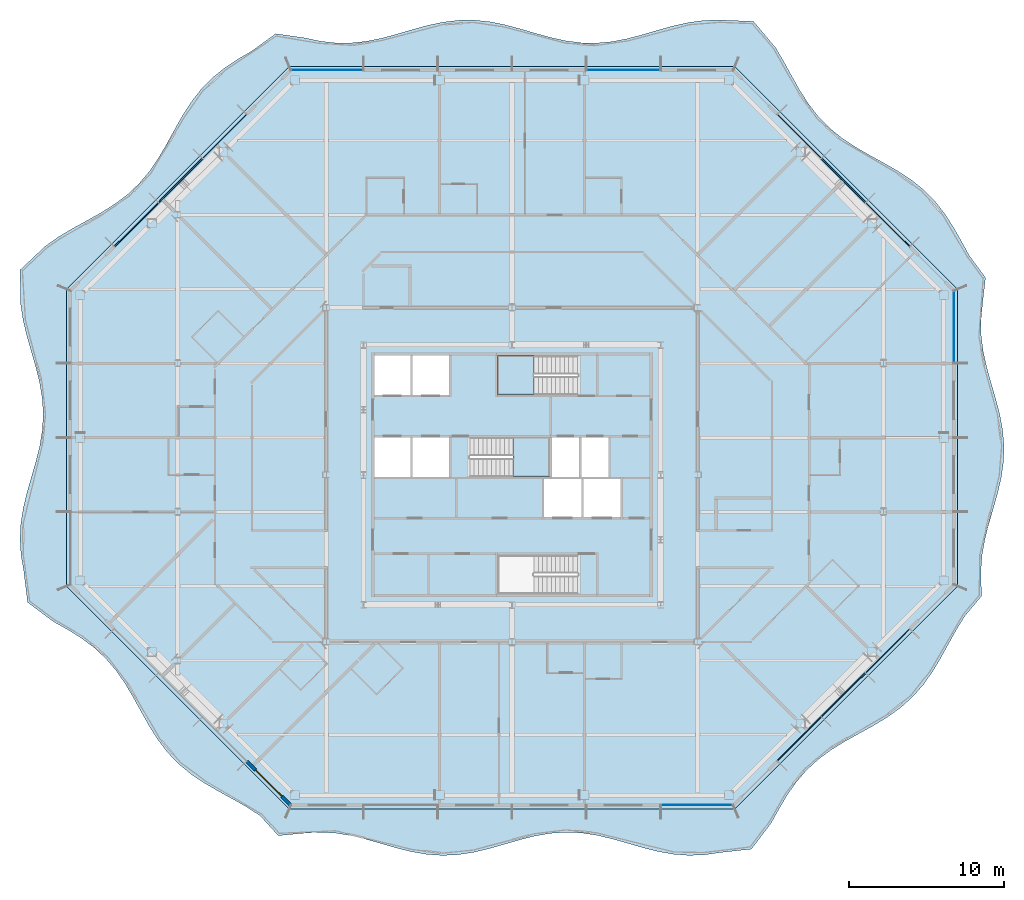
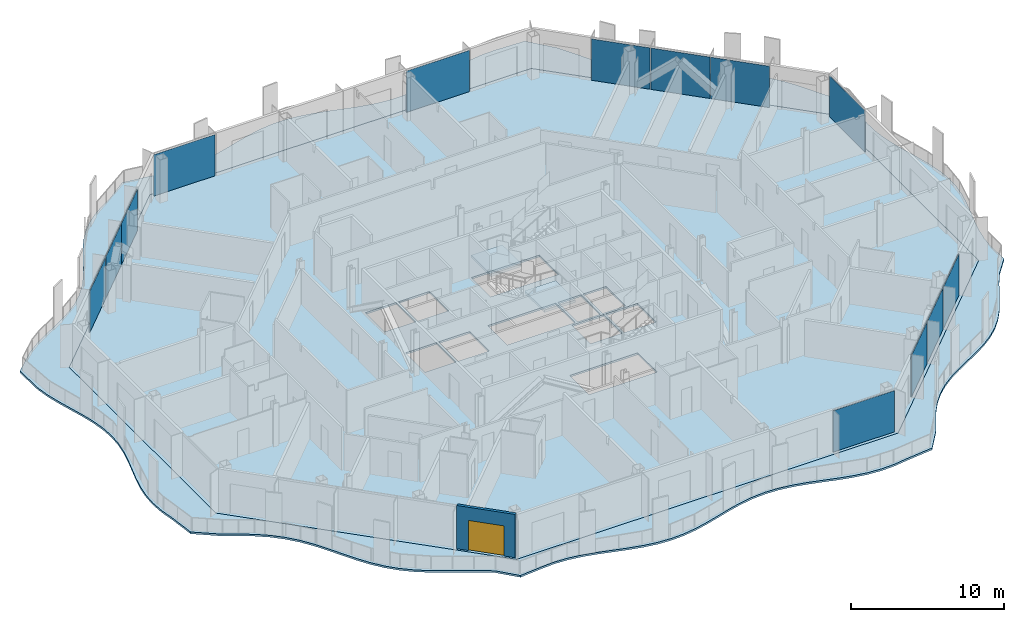
# One storey, part 6 of 21: 13 plates, 4 slabs, 1 door, 1 wall, 1 opening, 8 elements without a shape of their own.
"""IFC4 building model written with IfcOpenShell, lengths in metres."""

from ifc_helpers import new_model, si_unit, direction, frame, frame_2d, origin, origin_2d, place, context, subcontext, project, spatial, polyline, rectangle, outline, extrude, material, layer, layer_set, type_object, element, fill, aggregate, save


model = new_model("IFC4")

# Units and contexts
model_context = context("Model", 3, precision=1e-05, world=origin(), true_north=direction((0.0, 1.0)))
body_context = subcontext(model_context, "Body", "Model", "MODEL_VIEW")
ifc_project = project(units=[si_unit("LENGTHUNIT", "METRE"), si_unit("AREAUNIT", "SQUARE_METRE"), si_unit("VOLUMEUNIT", "CUBIC_METRE"), si_unit("PLANEANGLEUNIT", "RADIAN"), si_unit("MASSUNIT", "GRAM", prefix="KILO")], contexts=[model_context])

# Site, building, storey
site_placement = place(None, origin())
site = spatial("IfcSite", under=ifc_project, at=site_placement, CompositionType="ELEMENT")
building_placement = place(site_placement, origin())
building = spatial("IfcBuilding", under=site, at=building_placement, Name="Cairn Pilgrim Tower", CompositionType="ELEMENT")
storey_placement = place(building_placement, frame((0.0, 0.0, 150.60009765625)))
storey = spatial("IfcBuildingStorey", under=building, at=storey_placement, Name="L37", CompositionType="ELEMENT", Elevation=150.60009765625)

# Slabs
ifc_material_1 = material(Name="Concrete C35/45", Category="concrete")
ifc_layer_1 = layer(ifc_material_1, 0.14990234375)
ifc_layer_set_1 = layer_set([ifc_layer_1], Name="BALCONY SLAB 150 CONCRETE C35/45")
slab_type_1 = type_object("IfcSlabType", Name="BALCONY SLAB 150 CONCRETE C35/45", PredefinedType="FLOOR", material=ifc_layer_set_1)
slab_1_placement = place(storey_placement, frame((0.0, 0.0, -0.150146484375)))
element("IfcSlab", 1, at=slab_1_placement, inside=storey, type_object=slab_type_1, Name="Balcony slab BS-1", PredefinedType="FLOOR", context=body_context, shape_type="SweptSolid", body=[
    extrude(outline(polyline([(-9.0771484375, -19.636962890625), (-7.912353515625, -20.919677734375), (-6.206787109375, -20.7578125), (-5.2138671875, -20.699951171875), (-4.220703125, -20.7548828125), (-3.2275390625, -20.9140625), (-2.234375, -21.153564453125), (-1.241455078125, -21.437744140625), (-0.248291015625, -21.723876953125), (0.744873046875, -21.96875), (1.738037109375, -22.1357421875), (2.73095703125, -22.19970703125), (3.72412109375, -22.151123046875), (4.71728515625, -21.997314453125), (5.71044921875, -21.76123046875), (6.703369140625, -21.478515625), (7.696533203125, -21.19140625), (8.689697265625, -20.943115234375), (9.682861328125, -20.77099609375), (10.67578125, -20.700927734375), (11.6689453125, -20.7431640625), (12.662109375, -20.891845703125), (13.6552734375, -21.1240234375), (14.648193359375, -21.4052734375), (15.641357421875, -21.693359375), (16.634521484375, -21.94482421875), (17.627685546875, -22.121826171875), (18.62060546875, -22.1982421875), (19.61376953125, -22.162109375), (20.60693359375, -22.01904296875), (22.673095703125, -21.79052734375), (23.94873046875, -20.10888671875), (24.4599609375, -19.179931640625), (24.998046875, -18.278076171875), (25.591796875, -17.431640625), (26.26123046875, -16.6611328125), (27.01416015625, -15.97412109375), (27.845458984375, -15.365478515625), (28.73779296875, -14.817626953125), (29.66357421875, -14.303466796875), (30.590576171875, -13.79052734375), (31.486083984375, -13.24609375), (32.322509765625, -12.642333984375), (33.081298828125, -11.961181640625), (33.75634765625, -11.196533203125), (34.35498046875, -10.35498046875), (34.896240234375, -9.4560546875), (35.408203125, -8.528076171875), (35.923583984375, -7.603759765625), (36.47509765625, -6.715087890625), (37.5400390625, -5.43798828125), (37.501708984375, -3.78955078125), (37.579833984375, -2.779052734375), (37.761962890625, -1.768310546875), (38.02001953125, -0.7578125), (38.31396484375, 0.252685546875), (38.59765625, 1.26318359375), (38.82763671875, 2.273681640625), (38.967529296875, 3.2841796875), (38.99609375, 4.294677734375), (38.90869140625, 5.30517578125), (38.71875, 6.315673828125), (38.4560546875, 7.326416015625), (38.161376953125, 8.3369140625), (37.88037109375, 9.347412109375), (37.656982421875, 10.35791015625), (37.525634765625, 11.368408203125), (37.5068359375, 12.37890625), (37.603515625, 13.389404296875), (37.80078125, 15.14599609375), (36.74365234375, 16.583740234375), (36.234130859375, 17.51416015625), (35.71142578125, 18.431640625), (35.14453125, 19.3046875), (34.50927734375, 20.109375), (33.792236328125, 20.832275390625), (32.992919921875, 21.472900390625), (32.123779296875, 22.043701171875), (31.20849609375, 22.568603515625), (30.27783203125, 23.077880859375), (29.365234375, 23.605224609375), (28.500732421875, 24.1806640625), (27.70703125, 24.8271484375), (26.996337890625, 25.556396484375), (26.36669921875, 26.36669921875), (25.803955078125, 27.243896484375), (25.283447265625, 28.163330078125), (24.7734375, 29.093505859375), (24.2412109375, 30.001220703125), (22.8046875, 31.70849609375), (20.60693359375, 31.795654296875), (19.61376953125, 31.7705078125), (18.62060546875, 31.637451171875), (17.627685546875, 31.416015625), (16.634521484375, 31.1396484375), (15.641357421875, 30.849853515625), (14.648193359375, 30.590087890625), (13.6552734375, 30.3994140625), (12.662109375, 30.306396484375), (11.6689453125, 30.3251953125), (10.67578125, 30.45263671875), (9.682861328125, 30.669921875), (8.689697265625, 30.9443359375), (7.696533203125, 31.234375), (6.703369140625, 31.4970703125), (5.71044921875, 31.6923828125), (4.71728515625, 31.791259765625), (3.72412109375, 31.77880859375), (2.73095703125, 31.656982421875), (1.738037109375, 31.444091796875), (0.744873046875, 31.171875), (-0.248291015625, 30.88134765625), (-1.241455078125, 30.6162109375), (-2.234375, 30.416259765625), (-3.2275390625, 30.311279296875), (-4.220703125, 30.3173828125), (-5.2138671875, 30.43359375), (-6.206787109375, 30.642333984375), (-8.074951171875, 30.912109375), (-9.624267578125, 29.7841796875), (-10.536865234375, 29.2568359375), (-11.4013671875, 28.681396484375), (-12.19482421875, 28.034912109375), (-12.90576171875, 27.3056640625), (-13.53515625, 26.495361328125), (-14.097900390625, 25.617919921875), (-14.618408203125, 24.698486328125), (-15.12841796875, 23.768310546875), (-15.66064453125, 22.86083984375), (-16.245361328125, 22.00537109375), (-16.9033203125, 21.22314453125), (-17.64453125, 20.5244140625), (-18.465576171875, 19.90576171875), (-19.350830078125, 19.350830078125), (-20.273681640625, 18.833740234375), (-21.20263671875, 18.32275390625), (-22.1044921875, 17.784423828125), (-22.950439453125, 17.1904296875), (-24.599365234375, 15.642333984375), (-24.55322265625, 13.389404296875), (-24.397705078125, 12.37890625), (-24.1572265625, 11.368408203125), (-23.868896484375, 10.35791015625), (-23.57763671875, 9.347412109375), (-23.32861328125, 8.3369140625), (-23.160888671875, 7.326416015625), (-23.10009765625, 6.315673828125), (-23.15576171875, 5.30517578125), (-23.319580078125, 4.294677734375), (-23.565673828125, 3.2841796875), (-23.85595703125, 2.273681640625), (-24.1455078125, 1.26318359375), (-24.388916015625, 0.252685546875), (-24.548583984375, -0.7578125), (-24.599853515625, -1.768310546875), (-24.534423828125, -2.779052734375), (-24.362548828125, -3.78955078125), (-24.111328125, -5.840087890625), (-22.447509765625, -7.087646484375), (-21.523193359375, -7.603271484375), (-20.634765625, -8.15478515625), (-19.808837890625, -8.768798828125), (-19.06201171875, -9.462158203125), (-18.398681640625, -10.23876953125), (-17.81005859375, -11.090087890625), (-17.275146484375, -11.9951171875), (-16.7646484375, -12.924560546875), (-16.245849609375, -13.845703125), (-15.686767578125, -14.726806640625), (-15.06201171875, -15.542236328125), (-14.35693359375, -16.27685546875), (-13.568603515625, -16.9287109375), (-12.708251953125, -17.508056640625), (-11.797607421875, -18.03759765625), (-10.8671875, -18.547119140625), (-9.949951171875, -19.070068359375), (-9.0771484375, -19.636962890625)]), holes=[polyline([(21.60009765625, -19.199951171875), (-7.199951171875, -19.199951171875), (-21.60009765625, -4.800048828125), (-21.60009765625, 14.39990234375), (-7.199951171875, 28.800048828125), (21.60009765625, 28.800048828125), (36.0, 14.39990234375), (36.0, -4.800048828125), (21.60009765625, -19.199951171875)])]), origin(), (0.0, 0.0, 1.0), 0.150146484375),
])
ifc_layer_2 = layer(ifc_material_1, 0.14990234375)
ifc_layer_set_2 = layer_set([ifc_layer_2], Name="COMPOSITE FLOOR SLAB 150")
slab_type_2 = type_object("IfcSlabType", Name="COMPOSITE FLOOR SLAB 150", PredefinedType="FLOOR", material=ifc_layer_set_2)
slab_2_placement = place(storey_placement, frame((0.0, 0.0, -0.150146484375)))
element("IfcSlab", 2, at=slab_2_placement, inside=storey, type_object=slab_type_2, Name="FLOOR SLAB L37", PredefinedType="FLOOR", context=body_context, shape_type="SweptSolid", body=[
    extrude(outline(polyline([(-7.199951171875, -19.199951171875), (21.60009765625, -19.199951171875), (36.0, -4.800048828125), (36.0, 14.39990234375), (21.60009765625, 28.800048828125), (-7.199951171875, 28.800048828125), (-21.60009765625, 14.39990234375), (-21.60009765625, -4.800048828125), (-7.199951171875, -19.199951171875)]), holes=[polyline([(9.27490234375, -0.324951171875), (11.675048828125, -0.324951171875), (11.675048828125, 2.125), (9.27490234375, 2.125), (9.27490234375, -0.324951171875)]), polyline([(11.824951171875, -0.324951171875), (14.22509765625, -0.324951171875), (14.22509765625, 2.125), (11.824951171875, 2.125), (11.824951171875, -0.324951171875)]), polyline([(-1.72509765625, 2.27490234375), (0.625, 2.27490234375), (0.625, 4.824951171875), (-1.72509765625, 4.824951171875), (-1.72509765625, 2.27490234375)]), polyline([(0.77490234375, 2.27490234375), (3.125, 2.27490234375), (3.125, 4.824951171875), (0.77490234375, 4.824951171875), (0.77490234375, 2.27490234375)]), polyline([(-1.72509765625, 7.574951171875), (0.625, 7.574951171875), (0.625, 10.10009765625), (-1.72509765625, 10.10009765625), (-1.72509765625, 7.574951171875)]), polyline([(0.77490234375, 7.574951171875), (3.125, 7.574951171875), (3.125, 10.10009765625), (0.77490234375, 10.10009765625), (0.77490234375, 7.574951171875)]), polyline([(9.77490234375, 2.27490234375), (11.52490234375, 2.27490234375), (11.52490234375, 4.824951171875), (9.77490234375, 4.824951171875), (9.77490234375, 2.27490234375)]), polyline([(11.675048828125, 2.27490234375), (13.425048828125, 2.27490234375), (13.425048828125, 4.824951171875), (11.675048828125, 4.824951171875), (11.675048828125, 2.27490234375)]), polyline([(11.424560546875, -2.77490234375), (6.27490234375, -2.77490234375), (6.27490234375, -5.300048828125), (11.424560546875, -5.300048828125), (11.424560546875, -2.77490234375)]), polyline([(4.4755859375, 2.27490234375), (9.625, 2.27490234375), (9.625, 4.824951171875), (4.4755859375, 4.824951171875), (4.4755859375, 2.27490234375)]), polyline([(11.424560546875, 10.10009765625), (6.27490234375, 10.10009765625), (6.27490234375, 7.574951171875), (11.424560546875, 7.574951171875), (11.424560546875, 10.10009765625)])]), origin(), (0.0, 0.0, 1.0), 0.150146484375),
])

# Curtain wall, plates
ifc_material_2 = material(Name="Aluminium alloy 6063-T6 bronze anodised with Bronze tinted laminated low-E glass 8+16+8.8", Category="aluminium")
curtain_wall_type_1 = type_object("IfcCurtainWallType", Name="CHAMFER CORNER CURTAIN WALL", PredefinedType="NOTDEFINED", material=ifc_material_2)
curtain_wall_1_placement = place(storey_placement, origin())
curtain_wall_1 = element("IfcCurtainWall", 3, at=curtain_wall_1_placement, inside=storey, type_object=curtain_wall_type_1, Name="Chamfer Corner Curtain Wall SE", PredefinedType="NOTDEFINED")
ifc_material_3 = material(Name="Bronze anodised aluminium spandrel panel with mineral wool insulation", Category="aluminium")
ifc_layer_3 = layer(ifc_material_3, 0.06005859375)
ifc_layer_set_3 = layer_set([ifc_layer_3], Name="SPANDREL PANEL 3972x3300")
plate_type_1 = type_object("IfcPlateType", Name="SPANDREL PANEL 3972x3300", PredefinedType="CURTAIN_PANEL", material=ifc_layer_set_3)
plate_1_placement = place(storey_placement, frame((25.7724609375, -14.673828125, 0.0), z_axis=(0.0, 0.0, 1.0), x_axis=(0.707106781187, 0.707106781187, 0.0)))
plate_1 = element("IfcPlate", 4, at=plate_1_placement, type_object=plate_type_1, Name="Spandrel Panel SE2-1", PredefinedType="CURTAIN_PANEL", context=body_context, shape_type="SweptSolid", body=[
    extrude(rectangle(XDim=3.971435546875, YDim=0.06005859375, at=origin_2d()), origin(), (0.0, 0.0, 1.0), 3.300048828125),
])
plate_2_placement = place(storey_placement, frame((28.623291015625, -11.8232421875, 0.0), z_axis=(0.0, 0.0, 1.0), x_axis=(0.707106781187, 0.707106781187, 0.0)))
plate_2 = element("IfcPlate", 5, at=plate_2_placement, type_object=plate_type_1, Name="Spandrel Panel SE3-1", PredefinedType="CURTAIN_PANEL", context=body_context, shape_type="SweptSolid", body=[
    extrude(rectangle(XDim=3.971435546875, YDim=0.06005859375, at=origin_2d()), origin(), (0.0, 0.0, 1.0), 3.300048828125),
])
plate_3_placement = place(storey_placement, frame((31.473876953125, -8.972412109375, 0.0), z_axis=(0.0, 0.0, 1.0), x_axis=(0.707106781187, 0.707106781187, 0.0)))
plate_3 = element("IfcPlate", 6, at=plate_3_placement, type_object=plate_type_1, Name="Spandrel Panel SE4-1", PredefinedType="CURTAIN_PANEL", context=body_context, shape_type="SweptSolid", body=[
    extrude(rectangle(XDim=3.971435546875, YDim=0.06005859375, at=origin_2d()), origin(), (0.0, 0.0, 1.0), 3.300048828125),
])
aggregate(curtain_wall_1, [plate_1, plate_2, plate_3])

curtain_wall_2_placement = place(storey_placement, origin())
curtain_wall_2 = element("IfcCurtainWall", 7, at=curtain_wall_2_placement, inside=storey, type_object=curtain_wall_type_1, Name="Chamfer Corner Curtain Wall NE", PredefinedType="NOTDEFINED")
plate_4_placement = place(storey_placement, frame((31.473876953125, 18.572509765625, 0.0), z_axis=(0.0, 0.0, 1.0), x_axis=(-0.707106781187, 0.707106781187, 0.0)))
plate_4 = element("IfcPlate", 8, at=plate_4_placement, type_object=plate_type_1, Name="Spandrel Panel NE2-1", PredefinedType="CURTAIN_PANEL", context=body_context, shape_type="SweptSolid", body=[
    extrude(rectangle(XDim=3.971435546875, YDim=0.06005859375, at=origin_2d()), origin(), (0.0, 0.0, 1.0), 3.300048828125),
])
plate_5_placement = place(storey_placement, frame((28.623291015625, 21.42333984375, 0.0), z_axis=(0.0, 0.0, 1.0), x_axis=(-0.707106781187, 0.707106781187, 0.0)))
plate_5 = element("IfcPlate", 9, at=plate_5_placement, type_object=plate_type_1, Name="Spandrel Panel NE3-1", PredefinedType="CURTAIN_PANEL", context=body_context, shape_type="SweptSolid", body=[
    extrude(rectangle(XDim=3.971435546875, YDim=0.06005859375, at=origin_2d()), origin(), (0.0, 0.0, 1.0), 3.300048828125),
])
plate_6_placement = place(storey_placement, frame((25.7724609375, 24.27392578125, 0.0), z_axis=(0.0, 0.0, 1.0), x_axis=(-0.707106781187, 0.707106781187, 0.0)))
plate_6 = element("IfcPlate", 10, at=plate_6_placement, type_object=plate_type_1, Name="Spandrel Panel NE4-1", PredefinedType="CURTAIN_PANEL", context=body_context, shape_type="SweptSolid", body=[
    extrude(rectangle(XDim=3.971435546875, YDim=0.06005859375, at=origin_2d()), origin(), (0.0, 0.0, 1.0), 3.300048828125),
])
aggregate(curtain_wall_2, [plate_4, plate_5, plate_6])

curtain_wall_3_placement = place(storey_placement, origin())
curtain_wall_3 = element("IfcCurtainWall", 11, at=curtain_wall_3_placement, inside=storey, type_object=curtain_wall_type_1, Name="Chamfer Corner Curtain Wall NW", PredefinedType="NOTDEFINED")
plate_7_placement = place(storey_placement, frame((-11.37255859375, 24.27392578125, 0.0), z_axis=(0.0, 0.0, 1.0), x_axis=(-0.707106781187, -0.707106781187, 0.0)))
plate_7 = element("IfcPlate", 12, at=plate_7_placement, type_object=plate_type_1, Name="Spandrel Panel NW2-1", PredefinedType="CURTAIN_PANEL", context=body_context, shape_type="SweptSolid", body=[
    extrude(rectangle(XDim=3.971435546875, YDim=0.06005859375, at=origin_2d()), origin(), (0.0, 0.0, 1.0), 3.300048828125),
])
plate_8_placement = place(storey_placement, frame((-14.22314453125, 21.42333984375, 0.0), z_axis=(0.0, 0.0, 1.0), x_axis=(-0.707106781187, -0.707106781187, 0.0)))
plate_8 = element("IfcPlate", 13, at=plate_8_placement, type_object=plate_type_1, Name="Spandrel Panel NW3-1", PredefinedType="CURTAIN_PANEL", context=body_context, shape_type="SweptSolid", body=[
    extrude(rectangle(XDim=3.971435546875, YDim=0.06005859375, at=origin_2d()), origin(), (0.0, 0.0, 1.0), 3.300048828125),
])
plate_9_placement = place(storey_placement, frame((-17.073974609375, 18.572509765625, 0.0), z_axis=(0.0, 0.0, 1.0), x_axis=(-0.707106781187, -0.707106781187, 0.0)))
plate_9 = element("IfcPlate", 14, at=plate_9_placement, type_object=plate_type_1, Name="Spandrel Panel NW4-1", PredefinedType="CURTAIN_PANEL", context=body_context, shape_type="SweptSolid", body=[
    extrude(rectangle(XDim=3.971435546875, YDim=0.06005859375, at=origin_2d()), origin(), (0.0, 0.0, 1.0), 3.300048828125),
])
aggregate(curtain_wall_3, [plate_7, plate_8, plate_9])

# Stair, slab
ifc_material_4 = material(Name="Concrete C32/40", Category="concrete")
stair_type = type_object("IfcStairType", Name="EXIT STAIR 1200", PredefinedType="HALF_TURN_STAIR", material=ifc_material_4)
stair_1_placement = place(storey_placement, origin())
stair_1 = element("IfcStair", 15, at=stair_1_placement, inside=storey, type_object=stair_type, Name="L37 Exit Stair B", PredefinedType="HALF_TURN_STAIR")
ifc_layer_4 = layer(ifc_material_4, 0.199951171875)
ifc_layer_set_4 = layer_set([ifc_layer_4], Name="STAIR LANDING 200")
slab_type_3 = type_object("IfcSlabType", Name="STAIR LANDING 200", PredefinedType="LANDING", material=ifc_layer_set_4)
slab_3_placement = place(storey_placement, frame((0.0, 0.0, 1.599853515625)))
slab_3 = element("IfcSlab", 16, at=slab_3_placement, type_object=slab_type_3, Name="ST-B landing 1", PredefinedType="LANDING", context=body_context, shape_type="SweptSolid", body=[
    extrude(outline(polyline([(7.27490234375, 2.27490234375), (9.625, 2.27490234375), (9.625, 4.824951171875), (7.27490234375, 4.824951171875), (7.27490234375, 2.27490234375)])), origin(), (0.0, 0.0, 1.0), 0.199951171875),
])
aggregate(stair_1, [slab_3])

stair_2_placement = place(storey_placement, origin())
stair_2 = element("IfcStair", 17, at=stair_2_placement, inside=storey, type_object=stair_type, Name="L37 Exit Stair C", PredefinedType="HALF_TURN_STAIR")
slab_4_placement = place(storey_placement, frame((0.0, 0.0, 1.599853515625)))
slab_4 = element("IfcSlab", 18, at=slab_4_placement, type_object=slab_type_3, Name="ST-C landing 1", PredefinedType="LANDING", context=body_context, shape_type="SweptSolid", body=[
    extrude(outline(polyline([(8.625, 10.10009765625), (6.27490234375, 10.10009765625), (6.27490234375, 7.574951171875), (8.625, 7.574951171875), (8.625, 10.10009765625)])), origin(), (0.0, 0.0, 1.0), 0.199951171875),
])
aggregate(stair_2, [slab_4])

# Curtain wall, plate
curtain_wall_type_2 = type_object("IfcCurtainWallType", Name="TOWER STICK CURTAIN WALL NS", PredefinedType="NOTDEFINED", material=ifc_material_2)
curtain_wall_4_placement = place(storey_placement, origin())
curtain_wall_4 = element("IfcCurtainWall", 19, at=curtain_wall_4_placement, inside=storey, type_object=curtain_wall_type_2, Name="Tower Stick Curtain Wall Ns S", PredefinedType="NOTDEFINED")
ifc_material_5 = material(Name="Bronze tinted laminated low-E glass 8+16+8.8", Category="glass")
ifc_layer_5 = layer(ifc_material_5, 0.033935546875)
ifc_layer_set_5 = layer_set([ifc_layer_5], Name="VISION GLAZING 4626x3300")
plate_type_2 = type_object("IfcPlateType", Name="VISION GLAZING 4626x3300", PredefinedType="CURTAIN_PANEL", material=ifc_layer_set_5)
plate_10_placement = place(storey_placement, frame((19.143310546875, -18.949951171875, 0.0), z_axis=(0.0, 0.0, 1.0), x_axis=(1.0, 0.0, 0.0)))
plate_10 = element("IfcPlate", 20, at=plate_10_placement, type_object=plate_type_2, Name="Vision Glazing S6-1", PredefinedType="CURTAIN_PANEL", context=body_context, shape_type="SweptSolid", body=[
    extrude(rectangle(XDim=4.62646484375, YDim=0.033935546875, at=origin_2d()), origin(), (0.0, 0.0, 1.0), 3.300048828125),
])
aggregate(curtain_wall_4, [plate_10])

curtain_wall_type_3 = type_object("IfcCurtainWallType", Name="TOWER STICK CURTAIN WALL EW", PredefinedType="NOTDEFINED", material=ifc_material_2)
curtain_wall_5_placement = place(storey_placement, origin())
curtain_wall_5 = element("IfcCurtainWall", 21, at=curtain_wall_5_placement, inside=storey, type_object=curtain_wall_type_3, Name="Tower Stick Curtain Wall Ew E", PredefinedType="NOTDEFINED")
plate_11_placement = place(storey_placement, frame((35.75, 11.943115234375, 0.0), z_axis=(0.0, 0.0, 1.0), x_axis=(0.0, 1.0, 0.0)))
plate_11 = element("IfcPlate", 22, at=plate_11_placement, type_object=plate_type_2, Name="Vision Glazing E4-1", PredefinedType="CURTAIN_PANEL", context=body_context, shape_type="SweptSolid", body=[
    extrude(rectangle(XDim=4.62646484375, YDim=0.033935546875, at=origin_2d()), origin(), (0.0, 0.0, 1.0), 3.300048828125),
])
aggregate(curtain_wall_5, [plate_11])

# Curtain wall, plates
curtain_wall_6_placement = place(storey_placement, origin())
curtain_wall_6 = element("IfcCurtainWall", 23, at=curtain_wall_6_placement, inside=storey, type_object=curtain_wall_type_2, Name="Tower Stick Curtain Wall Ns N", PredefinedType="NOTDEFINED")
plate_12_placement = place(storey_placement, frame((-4.7431640625, 28.550048828125, 0.0), z_axis=(0.0, 0.0, 1.0), x_axis=(-1.0, 0.0, 0.0)))
plate_12 = element("IfcPlate", 24, at=plate_12_placement, type_object=plate_type_2, Name="Vision Glazing N6-1", PredefinedType="CURTAIN_PANEL", context=body_context, shape_type="SweptSolid", body=[
    extrude(rectangle(XDim=4.62646484375, YDim=0.033935546875, at=origin_2d()), origin(), (0.0, 0.0, 1.0), 3.300048828125),
])
ifc_layer_6 = layer(ifc_material_5, 0.033935546875)
ifc_layer_set_6 = layer_set([ifc_layer_6], Name="VISION GLAZING 4740x3300")
plate_type_3 = type_object("IfcPlateType", Name="VISION GLAZING 4740x3300", PredefinedType="CURTAIN_PANEL", material=ifc_layer_set_6)
plate_13_placement = place(storey_placement, frame((14.39990234375, 28.550048828125, 0.0), z_axis=(0.0, 0.0, 1.0), x_axis=(-1.0, 0.0, 0.0)))
plate_13 = element("IfcPlate", 25, at=plate_13_placement, type_object=plate_type_3, Name="Vision Glazing N2-1", PredefinedType="CURTAIN_PANEL", context=body_context, shape_type="SweptSolid", body=[
    extrude(rectangle(XDim=4.739990234375, YDim=0.033935546875, at=origin_2d()), origin(), (0.0, 0.0, 1.0), 3.300048828125),
])
aggregate(curtain_wall_6, [plate_13, plate_12])

# Wall, opening, door
ifc_material_6 = material(Name="Bronze anodised aluminium insulated sandwich panel with mineral wool fill", Category="aluminium")
ifc_layer_7 = layer(ifc_material_6, 0.199951171875)
ifc_layer_set_7 = layer_set([ifc_layer_7], Name="BRONZE INFILL FRAME WALL 200")
wall_type = type_object("IfcWallType", Name="BRONZE INFILL FRAME WALL 200", PredefinedType="NOTDEFINED", material=ifc_layer_set_7)
wall_placement = place(storey_placement, frame((-9.926025390625, -16.12060546875, 0.0), z_axis=(0.0, 0.0, 1.0), x_axis=(0.707137595296, -0.707075965734, 0.0)))
wall = element("IfcWall", 26, at=wall_placement, inside=storey, type_object=wall_type, Name="Bronze infill frame wall IW-SW5", PredefinedType="NOTDEFINED", context=body_context, shape_type="SweptSolid", body=[
    extrude(rectangle(XDim=3.96142578125, YDim=0.199951171875, at=frame_2d((1.980712890625, 0.0))), origin(), (0.0, 0.0, 1.0), 3.449951171875),
])
opening_placement = place(wall_placement, frame((0.785400390625, 0.0, 0.0)))
opening = element("IfcOpeningElement", 27, at=opening_placement, cuts=wall, Name="Opening 3719B2", PredefinedType="OPENING", context=body_context, shape_type="SweptSolid", body=[
    extrude(rectangle(XDim=2.39990234375, YDim=2.39990234375, at=frame_2d((1.199951171875, 1.199951171875))), frame((0.0, 0.10986328125, 0.0), z_axis=(0.0, -1.0, 0.0), x_axis=(1.0, 0.0, 0.0)), (0.0, 0.0, 1.0), 0.219970703125),
])
ifc_material_7 = material(Name="Bronze anodised aluminium frame with tinted low-E glass", Category="aluminium")
door_type = type_object("IfcDoorType", Name="BALCONY SLIDING DOOR 2400x2400", OperationType="DOUBLE_DOOR_SLIDING", PredefinedType="DOOR", material=ifc_material_7)
door_placement = place(opening_placement, origin())
door = element("IfcDoor", 28, at=door_placement, inside=storey, type_object=door_type, Name="Balcony sliding door 3719B2", OperationType="SINGLE_SWING_LEFT", OverallHeight=2.39990234375, OverallWidth=2.39990234375, PredefinedType="DOOR", context=body_context, shape_type="SweptSolid", body=[
    extrude(rectangle(XDim=2.39990234375, YDim=2.39990234375, at=frame_2d((1.199951171875, 1.199951171875))), frame((0.0, 0.02490234375, 0.0), z_axis=(0.0, -1.0, 0.0), x_axis=(1.0, 0.0, 0.0)), (0.0, 0.0, 1.0), 0.050048828125),
])
fill(opening, door)

save(model, "model.ifc")
